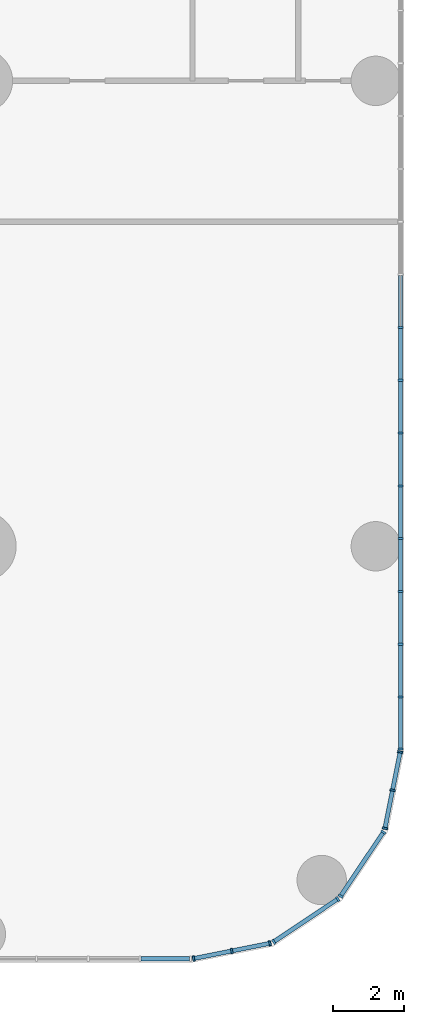
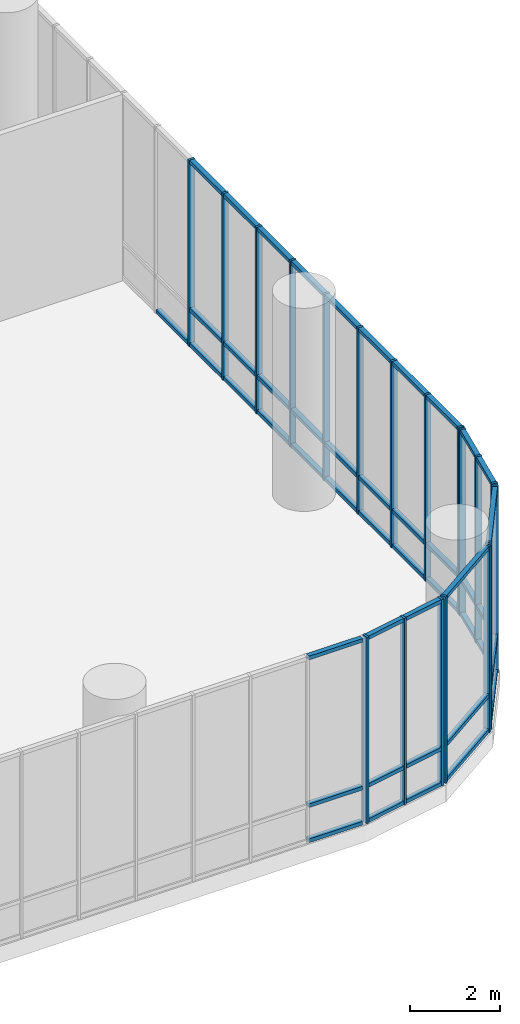
# One storey, part 14 of 30: 65 members, 6 elements without a shape of their own.
"""IFC4 building model written with IfcOpenShell, lengths in metres."""

from ifc_helpers import new_model, si_unit, direction, frame, origin, origin_2d, place, context, subcontext, project, spatial, rectangle, extrude, material, layer, layer_set, material_profile, profile_set, type_object, element, aggregate, save


model = new_model("IFC4")

# Units and contexts
model_context = context("Model", 3, precision=1e-05, world=origin(), true_north=direction((0.0, 1.0)))
body_context = subcontext(model_context, "Body", "Model", "MODEL_VIEW")
ifc_project = project(units=[si_unit("LENGTHUNIT", "METRE"), si_unit("AREAUNIT", "SQUARE_METRE"), si_unit("VOLUMEUNIT", "CUBIC_METRE"), si_unit("PLANEANGLEUNIT", "RADIAN"), si_unit("MASSUNIT", "GRAM", prefix="KILO")], contexts=[model_context])

# Site, building, storey
site_placement = place(None, origin())
site = spatial("IfcSite", under=ifc_project, at=site_placement, CompositionType="ELEMENT")
building_placement = place(site_placement, origin())
building = spatial("IfcBuilding", under=site, at=building_placement, Name="Torana Hotel and Residences", CompositionType="ELEMENT")
storey_placement = place(building_placement, frame((0.0, 0.0, 12.5)))
storey = spatial("IfcBuildingStorey", under=building, at=storey_placement, Name="L02", CompositionType="ELEMENT", Elevation=12.5)

# Curtain wall, members
ifc_material_1 = material(Name="Dark anodised aluminium", Category="aluminium")
ifc_layer = layer(ifc_material_1, 0.14990234375)
ifc_layer_set = layer_set([ifc_layer], Name="CW5 PODIUM UPPER UNITISED CURTAIN WALL")
curtain_wall_type = type_object("IfcCurtainWallType", Name="CW5 PODIUM UPPER UNITISED CURTAIN WALL", PredefinedType="NOTDEFINED", material=ifc_layer_set)
curtain_wall_1_placement = place(storey_placement, origin())
curtain_wall_1 = element("IfcCurtainWall", 1, at=curtain_wall_1_placement, inside=storey, type_object=curtain_wall_type, Name="Curtain wall CW5 L02 e1.1", PredefinedType="NOTDEFINED")
ifc_material_2 = material(Name="Dark anodised aluminium", Category="aluminium")
ifc_material_profile_1 = material_profile(ifc_material_2, rectangle(XDim=0.14990234375, YDim=0.06005859375, at=origin_2d()), Name="CW5 MULLION 60x150")
ifc_profile_set_1 = profile_set([ifc_material_profile_1], Name="Dark anodised aluminium")
member_type_1 = type_object("IfcMemberType", Name="CW5 MULLION 60x150", PredefinedType="MULLION", material=ifc_profile_set_1)
member_1_placement = place(storey_placement, frame((42.033935546875, -39.891357421875, 0.0), z_axis=(0.0, 0.0, 1.0), x_axis=(-0.195080996415, 0.980787135335, 0.0)))
member_1 = element("IfcMember", 2, at=member_1_placement, type_object=member_type_1, Name="CW5 mullion 1", PredefinedType="MULLION", context=body_context, shape_type="SweptSolid", body=[
    extrude(rectangle(XDim=0.14990234375, YDim=0.06005859375, at=origin_2d()), origin(), (0.0, 0.0, 1.0), 5.050048828125),
])
member_2_placement = place(storey_placement, frame((43.1162109375, -39.676025390625, 0.0), z_axis=(0.0, 0.0, 1.0), x_axis=(-0.195080996415, 0.980787135335, 0.0)))
member_2 = element("IfcMember", 3, at=member_2_placement, type_object=member_type_1, Name="CW5 mullion 2", PredefinedType="MULLION", context=body_context, shape_type="SweptSolid", body=[
    extrude(rectangle(XDim=0.14990234375, YDim=0.06005859375, at=origin_2d()), origin(), (0.0, 0.0, 1.0), 5.050048828125),
])
member_3_placement = place(storey_placement, frame((44.198486328125, -39.460693359375, 0.0), z_axis=(0.0, 0.0, 1.0), x_axis=(-0.195080996415, 0.980787135335, 0.0)))
member_3 = element("IfcMember", 4, at=member_3_placement, type_object=member_type_1, Name="CW5 mullion 3", PredefinedType="MULLION", context=body_context, shape_type="SweptSolid", body=[
    extrude(rectangle(XDim=0.14990234375, YDim=0.06005859375, at=origin_2d()), origin(), (0.0, 0.0, 1.0), 5.050048828125),
])

curtain_wall_2_placement = place(storey_placement, origin())
curtain_wall_2 = element("IfcCurtainWall", 5, at=curtain_wall_2_placement, inside=storey, type_object=curtain_wall_type, Name="Curtain wall CW5 L02 e1.2", PredefinedType="NOTDEFINED")
member_4_placement = place(storey_placement, frame((44.306884765625, -39.415771484375, 0.0), z_axis=(0.0, 0.0, 1.0), x_axis=(-0.555585238723, 0.831459585616, 0.0)))
member_4 = element("IfcMember", 6, at=member_4_placement, type_object=member_type_1, Name="CW5 mullion 1", PredefinedType="MULLION", context=body_context, shape_type="SweptSolid", body=[
    extrude(rectangle(XDim=0.14990234375, YDim=0.06005859375, at=origin_2d()), origin(), (0.0, 0.0, 1.0), 5.050048828125),
])
member_5_placement = place(storey_placement, frame((46.120849609375, -38.203857421875, 0.0), z_axis=(0.0, 0.0, 1.0), x_axis=(-0.555585238723, 0.831459585616, 0.0)))
member_5 = element("IfcMember", 7, at=member_5_placement, type_object=member_type_1, Name="CW5 mullion 2", PredefinedType="MULLION", context=body_context, shape_type="SweptSolid", body=[
    extrude(rectangle(XDim=0.14990234375, YDim=0.06005859375, at=origin_2d()), origin(), (0.0, 0.0, 1.0), 5.050048828125),
])

curtain_wall_3_placement = place(storey_placement, origin())
curtain_wall_3 = element("IfcCurtainWall", 8, at=curtain_wall_3_placement, inside=storey, type_object=curtain_wall_type, Name="Curtain wall CW5 L02 e1.3", PredefinedType="NOTDEFINED")
member_6_placement = place(storey_placement, frame((46.203857421875, -38.120849609375, 0.0), z_axis=(0.0, 0.0, 1.0), x_axis=(-0.831459585616, 0.555585238723, 0.0)))
member_6 = element("IfcMember", 9, at=member_6_placement, type_object=member_type_1, Name="CW5 mullion 1", PredefinedType="MULLION", context=body_context, shape_type="SweptSolid", body=[
    extrude(rectangle(XDim=0.14990234375, YDim=0.06005859375, at=origin_2d()), origin(), (0.0, 0.0, 1.0), 5.050048828125),
])
member_7_placement = place(storey_placement, frame((47.415771484375, -36.306884765625, 0.0), z_axis=(0.0, 0.0, 1.0), x_axis=(-0.831459585616, 0.555585238723, 0.0)))
member_7 = element("IfcMember", 10, at=member_7_placement, type_object=member_type_1, Name="CW5 mullion 2", PredefinedType="MULLION", context=body_context, shape_type="SweptSolid", body=[
    extrude(rectangle(XDim=0.14990234375, YDim=0.06005859375, at=origin_2d()), origin(), (0.0, 0.0, 1.0), 5.050048828125),
])

curtain_wall_4_placement = place(storey_placement, origin())
curtain_wall_4 = element("IfcCurtainWall", 11, at=curtain_wall_4_placement, inside=storey, type_object=curtain_wall_type, Name="Curtain wall CW5 L02 e1.4", PredefinedType="NOTDEFINED")
member_8_placement = place(storey_placement, frame((47.460693359375, -36.198486328125, 0.0), z_axis=(0.0, 0.0, 1.0), x_axis=(-0.980787135335, 0.195080996415, 0.0)))
member_8 = element("IfcMember", 12, at=member_8_placement, type_object=member_type_1, Name="CW5 mullion 1", PredefinedType="MULLION", context=body_context, shape_type="SweptSolid", body=[
    extrude(rectangle(XDim=0.14990234375, YDim=0.06005859375, at=origin_2d()), origin(), (0.0, 0.0, 1.0), 5.050048828125),
])
member_9_placement = place(storey_placement, frame((47.676025390625, -35.1162109375, 0.0), z_axis=(0.0, 0.0, 1.0), x_axis=(-0.980787135335, 0.195080996415, 0.0)))
member_9 = element("IfcMember", 13, at=member_9_placement, type_object=member_type_1, Name="CW5 mullion 2", PredefinedType="MULLION", context=body_context, shape_type="SweptSolid", body=[
    extrude(rectangle(XDim=0.14990234375, YDim=0.06005859375, at=origin_2d()), origin(), (0.0, 0.0, 1.0), 5.050048828125),
])
member_10_placement = place(storey_placement, frame((47.891357421875, -34.033935546875, 0.0), z_axis=(0.0, 0.0, 1.0), x_axis=(-0.980787135335, 0.195080996415, 0.0)))
member_10 = element("IfcMember", 14, at=member_10_placement, type_object=member_type_1, Name="CW5 mullion 3", PredefinedType="MULLION", context=body_context, shape_type="SweptSolid", body=[
    extrude(rectangle(XDim=0.14990234375, YDim=0.06005859375, at=origin_2d()), origin(), (0.0, 0.0, 1.0), 5.050048828125),
])

curtain_wall_5_placement = place(storey_placement, origin())
curtain_wall_5 = element("IfcCurtainWall", 15, at=curtain_wall_5_placement, inside=storey, type_object=curtain_wall_type, Name="Curtain wall CW5 L02 e1.5", PredefinedType="NOTDEFINED")
member_11_placement = place(storey_placement, frame((47.89990234375, -33.9453125, 0.0), z_axis=(0.0, 0.0, 1.0), x_axis=(-1.0, 0.0, 0.0)))
member_11 = element("IfcMember", 16, at=member_11_placement, type_object=member_type_1, Name="CW5 mullion 1", PredefinedType="MULLION", context=body_context, shape_type="SweptSolid", body=[
    extrude(rectangle(XDim=0.14990234375, YDim=0.06005859375, at=origin_2d()), origin(), (0.0, 0.0, 1.0), 5.050048828125),
])
member_12_placement = place(storey_placement, frame((47.89990234375, -32.4775390625, 0.0), z_axis=(0.0, 0.0, 1.0), x_axis=(-1.0, 0.0, 0.0)))
member_12 = element("IfcMember", 17, at=member_12_placement, type_object=member_type_1, Name="CW5 mullion 2", PredefinedType="MULLION", context=body_context, shape_type="SweptSolid", body=[
    extrude(rectangle(XDim=0.14990234375, YDim=0.06005859375, at=origin_2d()), origin(), (0.0, 0.0, 1.0), 5.050048828125),
])
member_13_placement = place(storey_placement, frame((47.89990234375, -30.9794921875, 0.0), z_axis=(0.0, 0.0, 1.0), x_axis=(-1.0, 0.0, 0.0)))
member_13 = element("IfcMember", 18, at=member_13_placement, type_object=member_type_1, Name="CW5 mullion 3", PredefinedType="MULLION", context=body_context, shape_type="SweptSolid", body=[
    extrude(rectangle(XDim=0.14990234375, YDim=0.06005859375, at=origin_2d()), origin(), (0.0, 0.0, 1.0), 5.050048828125),
])
member_14_placement = place(storey_placement, frame((47.89990234375, -29.4814453125, 0.0), z_axis=(0.0, 0.0, 1.0), x_axis=(-1.0, 0.0, 0.0)))
member_14 = element("IfcMember", 19, at=member_14_placement, type_object=member_type_1, Name="CW5 mullion 4", PredefinedType="MULLION", context=body_context, shape_type="SweptSolid", body=[
    extrude(rectangle(XDim=0.14990234375, YDim=0.06005859375, at=origin_2d()), origin(), (0.0, 0.0, 1.0), 5.050048828125),
])
member_15_placement = place(storey_placement, frame((47.89990234375, -27.983642578125, 0.0), z_axis=(0.0, 0.0, 1.0), x_axis=(-1.0, 0.0, 0.0)))
member_15 = element("IfcMember", 20, at=member_15_placement, type_object=member_type_1, Name="CW5 mullion 5", PredefinedType="MULLION", context=body_context, shape_type="SweptSolid", body=[
    extrude(rectangle(XDim=0.14990234375, YDim=0.06005859375, at=origin_2d()), origin(), (0.0, 0.0, 1.0), 5.050048828125),
])
member_16_placement = place(storey_placement, frame((47.89990234375, -26.485595703125, 0.0), z_axis=(0.0, 0.0, 1.0), x_axis=(-1.0, 0.0, 0.0)))
member_16 = element("IfcMember", 21, at=member_16_placement, type_object=member_type_1, Name="CW5 mullion 6", PredefinedType="MULLION", context=body_context, shape_type="SweptSolid", body=[
    extrude(rectangle(XDim=0.14990234375, YDim=0.06005859375, at=origin_2d()), origin(), (0.0, 0.0, 1.0), 5.050048828125),
])
member_17_placement = place(storey_placement, frame((47.89990234375, -24.98779296875, 0.0), z_axis=(0.0, 0.0, 1.0), x_axis=(-1.0, 0.0, 0.0)))
member_17 = element("IfcMember", 22, at=member_17_placement, type_object=member_type_1, Name="CW5 mullion 7", PredefinedType="MULLION", context=body_context, shape_type="SweptSolid", body=[
    extrude(rectangle(XDim=0.14990234375, YDim=0.06005859375, at=origin_2d()), origin(), (0.0, 0.0, 1.0), 5.050048828125),
])
member_18_placement = place(storey_placement, frame((47.89990234375, -23.48974609375, 0.0), z_axis=(0.0, 0.0, 1.0), x_axis=(-1.0, 0.0, 0.0)))
member_18 = element("IfcMember", 23, at=member_18_placement, type_object=member_type_1, Name="CW5 mullion 8", PredefinedType="MULLION", context=body_context, shape_type="SweptSolid", body=[
    extrude(rectangle(XDim=0.14990234375, YDim=0.06005859375, at=origin_2d()), origin(), (0.0, 0.0, 1.0), 5.050048828125),
])
member_19_placement = place(storey_placement, frame((47.89990234375, -21.99169921875, 0.0), z_axis=(0.0, 0.0, 1.0), x_axis=(-1.0, 0.0, 0.0)))
member_19 = element("IfcMember", 24, at=member_19_placement, type_object=member_type_1, Name="CW5 mullion 9", PredefinedType="MULLION", context=body_context, shape_type="SweptSolid", body=[
    extrude(rectangle(XDim=0.14990234375, YDim=0.06005859375, at=origin_2d()), origin(), (0.0, 0.0, 1.0), 5.050048828125),
])

curtain_wall_6_placement = place(storey_placement, origin())
curtain_wall_6 = element("IfcCurtainWall", 25, at=curtain_wall_6_placement, inside=storey, type_object=curtain_wall_type, Name="Curtain wall CW5 L02 e1.0", PredefinedType="NOTDEFINED")
ifc_material_3 = material(Name="Dark anodised aluminium", Category="aluminium")
ifc_material_profile_2 = material_profile(ifc_material_3, rectangle(XDim=0.1201171875, YDim=0.10009765625, at=origin_2d()), Name="CW5 TRANSOM 120x100")
ifc_profile_set_2 = profile_set([ifc_material_profile_2], Name="Dark anodised aluminium")
member_type_2 = type_object("IfcMemberType", Name="CW5 TRANSOM 120x100", PredefinedType="USERDEFINED", material=ifc_profile_set_2)
member_20_placement = place(storey_placement, frame((40.539794921875, -39.89990234375, 0.050048828125), z_axis=(1.0, 0.0, 0.0), x_axis=(0.0, 1.0, 0.0)))
member_20 = element("IfcMember", 26, at=member_20_placement, type_object=member_type_2, Name="CW5 transom 21.1", ObjectType="TRANSOM", PredefinedType="USERDEFINED", context=body_context, shape_type="SweptSolid", body=[
    extrude(rectangle(XDim=0.1201171875, YDim=0.10009765625, at=origin_2d()), origin(), (0.0, 0.0, 1.0), 1.37548828125),
])
member_21_placement = place(storey_placement, frame((40.539794921875, -39.89990234375, 1.0), z_axis=(1.0, 0.0, 0.0), x_axis=(0.0, 1.0, 0.0)))
member_21 = element("IfcMember", 27, at=member_21_placement, type_object=member_type_2, Name="CW5 transom 21.2", ObjectType="TRANSOM", PredefinedType="USERDEFINED", context=body_context, shape_type="SweptSolid", body=[
    extrude(rectangle(XDim=0.1201171875, YDim=0.10009765625, at=origin_2d()), origin(), (0.0, 0.0, 1.0), 1.37548828125),
])
member_22_placement = place(storey_placement, frame((40.539794921875, -39.89990234375, 5.0), z_axis=(1.0, 0.0, 0.0), x_axis=(0.0, 1.0, 0.0)))
member_22 = element("IfcMember", 28, at=member_22_placement, type_object=member_type_2, Name="CW5 transom 21.3", ObjectType="TRANSOM", PredefinedType="USERDEFINED", context=body_context, shape_type="SweptSolid", body=[
    extrude(rectangle(XDim=0.1201171875, YDim=0.10009765625, at=origin_2d()), origin(), (0.0, 0.0, 1.0), 1.37548828125),
])
aggregate(curtain_wall_6, [member_20, member_21, member_22])

# Member
member_23_placement = place(storey_placement, frame((42.0634765625, -39.885498046875, 0.050048828125), z_axis=(0.980769234765, 0.195170971557, 0.0), x_axis=(-0.195170971557, 0.980769234765, 0.0)))
member_23 = element("IfcMember", 29, at=member_23_placement, type_object=member_type_2, Name="CW5 transom 1.1", ObjectType="TRANSOM", PredefinedType="USERDEFINED", context=body_context, shape_type="SweptSolid", body=[
    extrude(rectangle(XDim=0.1201171875, YDim=0.10009765625, at=origin_2d()), origin(), (0.0, 0.0, 1.0), 1.043212890625),
])

member_24_placement = place(storey_placement, frame((42.0634765625, -39.885498046875, 1.0), z_axis=(0.980769234765, 0.195170971557, 0.0), x_axis=(-0.195170971557, 0.980769234765, 0.0)))
member_24 = element("IfcMember", 30, at=member_24_placement, type_object=member_type_2, Name="CW5 transom 1.2", ObjectType="TRANSOM", PredefinedType="USERDEFINED", context=body_context, shape_type="SweptSolid", body=[
    extrude(rectangle(XDim=0.1201171875, YDim=0.10009765625, at=origin_2d()), origin(), (0.0, 0.0, 1.0), 1.043212890625),
])

member_25_placement = place(storey_placement, frame((42.0634765625, -39.885498046875, 5.0), z_axis=(0.980769234765, 0.195170971557, 0.0), x_axis=(-0.195170971557, 0.980769234765, 0.0)))
member_25 = element("IfcMember", 31, at=member_25_placement, type_object=member_type_2, Name="CW5 transom 1.3", ObjectType="TRANSOM", PredefinedType="USERDEFINED", context=body_context, shape_type="SweptSolid", body=[
    extrude(rectangle(XDim=0.1201171875, YDim=0.10009765625, at=origin_2d()), origin(), (0.0, 0.0, 1.0), 1.043212890625),
])

member_26_placement = place(storey_placement, frame((43.1455078125, -39.670166015625, 0.050048828125), z_axis=(0.980778145841, 0.195126186458, 0.0), x_axis=(-0.195126186458, 0.980778145841, 0.0)))
member_26 = element("IfcMember", 32, at=member_26_placement, type_object=member_type_2, Name="CW5 transom 2.1", ObjectType="TRANSOM", PredefinedType="USERDEFINED", context=body_context, shape_type="SweptSolid", body=[
    extrude(rectangle(XDim=0.1201171875, YDim=0.10009765625, at=origin_2d()), origin(), (0.0, 0.0, 1.0), 1.04345703125),
])

member_27_placement = place(storey_placement, frame((43.1455078125, -39.670166015625, 1.0), z_axis=(0.980778145841, 0.195126186458, 0.0), x_axis=(-0.195126186458, 0.980778145841, 0.0)))
member_27 = element("IfcMember", 33, at=member_27_placement, type_object=member_type_2, Name="CW5 transom 2.2", ObjectType="TRANSOM", PredefinedType="USERDEFINED", context=body_context, shape_type="SweptSolid", body=[
    extrude(rectangle(XDim=0.1201171875, YDim=0.10009765625, at=origin_2d()), origin(), (0.0, 0.0, 1.0), 1.04345703125),
])

member_28_placement = place(storey_placement, frame((43.1455078125, -39.670166015625, 5.0), z_axis=(0.980778145841, 0.195126186458, 0.0), x_axis=(-0.195126186458, 0.980778145841, 0.0)))
member_28 = element("IfcMember", 34, at=member_28_placement, type_object=member_type_2, Name="CW5 transom 2.3", ObjectType="TRANSOM", PredefinedType="USERDEFINED", context=body_context, shape_type="SweptSolid", body=[
    extrude(rectangle(XDim=0.1201171875, YDim=0.10009765625, at=origin_2d()), origin(), (0.0, 0.0, 1.0), 1.04345703125),
])

aggregate(curtain_wall_1, [member_1, member_2, member_3, member_23, member_24, member_25, member_26, member_27, member_28])

member_29_placement = place(storey_placement, frame((44.331787109375, -39.399169921875, 0.050048828125), z_axis=(0.831447851219, 0.555602799403, 0.0), x_axis=(-0.555602799403, 0.831447851219, 0.0)))
member_29 = element("IfcMember", 35, at=member_29_placement, type_object=member_type_2, Name="CW5 transom 1.1", ObjectType="TRANSOM", PredefinedType="USERDEFINED", context=body_context, shape_type="SweptSolid", body=[
    extrude(rectangle(XDim=0.1201171875, YDim=0.10009765625, at=origin_2d()), origin(), (0.0, 0.0, 1.0), 2.12158203125),
])

member_30_placement = place(storey_placement, frame((44.331787109375, -39.399169921875, 1.0), z_axis=(0.831447851219, 0.555602799403, 0.0), x_axis=(-0.555602799403, 0.831447851219, 0.0)))
member_30 = element("IfcMember", 36, at=member_30_placement, type_object=member_type_2, Name="CW5 transom 1.2", ObjectType="TRANSOM", PredefinedType="USERDEFINED", context=body_context, shape_type="SweptSolid", body=[
    extrude(rectangle(XDim=0.1201171875, YDim=0.10009765625, at=origin_2d()), origin(), (0.0, 0.0, 1.0), 2.12158203125),
])

member_31_placement = place(storey_placement, frame((44.331787109375, -39.399169921875, 5.0), z_axis=(0.831447851219, 0.555602799403, 0.0), x_axis=(-0.555602799403, 0.831447851219, 0.0)))
member_31 = element("IfcMember", 37, at=member_31_placement, type_object=member_type_2, Name="CW5 transom 1.3", ObjectType="TRANSOM", PredefinedType="USERDEFINED", context=body_context, shape_type="SweptSolid", body=[
    extrude(rectangle(XDim=0.1201171875, YDim=0.10009765625, at=origin_2d()), origin(), (0.0, 0.0, 1.0), 2.12158203125),
])

aggregate(curtain_wall_2, [member_4, member_5, member_29, member_30, member_31])

member_32_placement = place(storey_placement, frame((46.220458984375, -38.095703125, 0.050048828125), z_axis=(0.555602799403, 0.831447851219, 0.0), x_axis=(-0.831447851219, 0.555602799403, 0.0)))
member_32 = element("IfcMember", 38, at=member_32_placement, type_object=member_type_2, Name="CW5 transom 1.1", ObjectType="TRANSOM", PredefinedType="USERDEFINED", context=body_context, shape_type="SweptSolid", body=[
    extrude(rectangle(XDim=0.1201171875, YDim=0.10009765625, at=origin_2d()), origin(), (0.0, 0.0, 1.0), 2.12158203125),
])

member_33_placement = place(storey_placement, frame((46.220458984375, -38.095703125, 1.0), z_axis=(0.555602799403, 0.831447851219, 0.0), x_axis=(-0.831447851219, 0.555602799403, 0.0)))
member_33 = element("IfcMember", 39, at=member_33_placement, type_object=member_type_2, Name="CW5 transom 1.2", ObjectType="TRANSOM", PredefinedType="USERDEFINED", context=body_context, shape_type="SweptSolid", body=[
    extrude(rectangle(XDim=0.1201171875, YDim=0.10009765625, at=origin_2d()), origin(), (0.0, 0.0, 1.0), 2.12158203125),
])

member_34_placement = place(storey_placement, frame((46.220458984375, -38.095703125, 5.0), z_axis=(0.555602799403, 0.831447851219, 0.0), x_axis=(-0.831447851219, 0.555602799403, 0.0)))
member_34 = element("IfcMember", 40, at=member_34_placement, type_object=member_type_2, Name="CW5 transom 1.3", ObjectType="TRANSOM", PredefinedType="USERDEFINED", context=body_context, shape_type="SweptSolid", body=[
    extrude(rectangle(XDim=0.1201171875, YDim=0.10009765625, at=origin_2d()), origin(), (0.0, 0.0, 1.0), 2.12158203125),
])

aggregate(curtain_wall_3, [member_6, member_7, member_32, member_33, member_34])

member_35_placement = place(storey_placement, frame((47.466552734375, -36.1689453125, 0.050048828125), z_axis=(0.195126186458, 0.980778145841, 0.0), x_axis=(-0.980778145841, 0.195126186458, 0.0)))
member_35 = element("IfcMember", 41, at=member_35_placement, type_object=member_type_2, Name="CW5 transom 1.1", ObjectType="TRANSOM", PredefinedType="USERDEFINED", context=body_context, shape_type="SweptSolid", body=[
    extrude(rectangle(XDim=0.1201171875, YDim=0.10009765625, at=origin_2d()), origin(), (0.0, 0.0, 1.0), 1.04345703125),
])

member_36_placement = place(storey_placement, frame((47.466552734375, -36.1689453125, 1.0), z_axis=(0.195126186458, 0.980778145841, 0.0), x_axis=(-0.980778145841, 0.195126186458, 0.0)))
member_36 = element("IfcMember", 42, at=member_36_placement, type_object=member_type_2, Name="CW5 transom 1.2", ObjectType="TRANSOM", PredefinedType="USERDEFINED", context=body_context, shape_type="SweptSolid", body=[
    extrude(rectangle(XDim=0.1201171875, YDim=0.10009765625, at=origin_2d()), origin(), (0.0, 0.0, 1.0), 1.04345703125),
])

member_37_placement = place(storey_placement, frame((47.466552734375, -36.1689453125, 5.0), z_axis=(0.195126186458, 0.980778145841, 0.0), x_axis=(-0.980778145841, 0.195126186458, 0.0)))
member_37 = element("IfcMember", 43, at=member_37_placement, type_object=member_type_2, Name="CW5 transom 1.3", ObjectType="TRANSOM", PredefinedType="USERDEFINED", context=body_context, shape_type="SweptSolid", body=[
    extrude(rectangle(XDim=0.1201171875, YDim=0.10009765625, at=origin_2d()), origin(), (0.0, 0.0, 1.0), 1.04345703125),
])

member_38_placement = place(storey_placement, frame((47.681884765625, -35.086669921875, 0.050048828125), z_axis=(0.195170971557, 0.980769234765, 0.0), x_axis=(-0.980769234765, 0.195170971557, 0.0)))
member_38 = element("IfcMember", 44, at=member_38_placement, type_object=member_type_2, Name="CW5 transom 2.1", ObjectType="TRANSOM", PredefinedType="USERDEFINED", context=body_context, shape_type="SweptSolid", body=[
    extrude(rectangle(XDim=0.1201171875, YDim=0.10009765625, at=origin_2d()), origin(), (0.0, 0.0, 1.0), 1.043212890625),
])

member_39_placement = place(storey_placement, frame((47.681884765625, -35.086669921875, 1.0), z_axis=(0.195170971557, 0.980769234765, 0.0), x_axis=(-0.980769234765, 0.195170971557, 0.0)))
member_39 = element("IfcMember", 45, at=member_39_placement, type_object=member_type_2, Name="CW5 transom 2.2", ObjectType="TRANSOM", PredefinedType="USERDEFINED", context=body_context, shape_type="SweptSolid", body=[
    extrude(rectangle(XDim=0.1201171875, YDim=0.10009765625, at=origin_2d()), origin(), (0.0, 0.0, 1.0), 1.043212890625),
])

member_40_placement = place(storey_placement, frame((47.681884765625, -35.086669921875, 5.0), z_axis=(0.195170971557, 0.980769234765, 0.0), x_axis=(-0.980769234765, 0.195170971557, 0.0)))
member_40 = element("IfcMember", 46, at=member_40_placement, type_object=member_type_2, Name="CW5 transom 2.3", ObjectType="TRANSOM", PredefinedType="USERDEFINED", context=body_context, shape_type="SweptSolid", body=[
    extrude(rectangle(XDim=0.1201171875, YDim=0.10009765625, at=origin_2d()), origin(), (0.0, 0.0, 1.0), 1.043212890625),
])

aggregate(curtain_wall_4, [member_8, member_9, member_10, member_35, member_36, member_37, member_38, member_39, member_40])

member_41_placement = place(storey_placement, frame((47.89990234375, -33.915283203125, 0.050048828125), z_axis=(0.0, 1.0, 0.0), x_axis=(-1.0, 0.0, 0.0)))
member_41 = element("IfcMember", 47, at=member_41_placement, type_object=member_type_2, Name="CW5 transom 1.1", ObjectType="TRANSOM", PredefinedType="USERDEFINED", context=body_context, shape_type="SweptSolid", body=[
    extrude(rectangle(XDim=0.1201171875, YDim=0.10009765625, at=origin_2d()), origin(), (0.0, 0.0, 1.0), 1.40771484375),
])

member_42_placement = place(storey_placement, frame((47.89990234375, -33.915283203125, 1.0), z_axis=(0.0, 1.0, 0.0), x_axis=(-1.0, 0.0, 0.0)))
member_42 = element("IfcMember", 48, at=member_42_placement, type_object=member_type_2, Name="CW5 transom 1.2", ObjectType="TRANSOM", PredefinedType="USERDEFINED", context=body_context, shape_type="SweptSolid", body=[
    extrude(rectangle(XDim=0.1201171875, YDim=0.10009765625, at=origin_2d()), origin(), (0.0, 0.0, 1.0), 1.40771484375),
])

member_43_placement = place(storey_placement, frame((47.89990234375, -33.915283203125, 5.0), z_axis=(0.0, 1.0, 0.0), x_axis=(-1.0, 0.0, 0.0)))
member_43 = element("IfcMember", 49, at=member_43_placement, type_object=member_type_2, Name="CW5 transom 1.3", ObjectType="TRANSOM", PredefinedType="USERDEFINED", context=body_context, shape_type="SweptSolid", body=[
    extrude(rectangle(XDim=0.1201171875, YDim=0.10009765625, at=origin_2d()), origin(), (0.0, 0.0, 1.0), 1.40771484375),
])

member_44_placement = place(storey_placement, frame((47.89990234375, -32.447509765625, 0.050048828125), z_axis=(0.0, 1.0, 0.0), x_axis=(-1.0, 0.0, 0.0)))
member_44 = element("IfcMember", 50, at=member_44_placement, type_object=member_type_2, Name="CW5 transom 2.1", ObjectType="TRANSOM", PredefinedType="USERDEFINED", context=body_context, shape_type="SweptSolid", body=[
    extrude(rectangle(XDim=0.1201171875, YDim=0.10009765625, at=origin_2d()), origin(), (0.0, 0.0, 1.0), 1.43798828125),
])

member_45_placement = place(storey_placement, frame((47.89990234375, -32.447509765625, 1.0), z_axis=(0.0, 1.0, 0.0), x_axis=(-1.0, 0.0, 0.0)))
member_45 = element("IfcMember", 51, at=member_45_placement, type_object=member_type_2, Name="CW5 transom 2.2", ObjectType="TRANSOM", PredefinedType="USERDEFINED", context=body_context, shape_type="SweptSolid", body=[
    extrude(rectangle(XDim=0.1201171875, YDim=0.10009765625, at=origin_2d()), origin(), (0.0, 0.0, 1.0), 1.43798828125),
])

member_46_placement = place(storey_placement, frame((47.89990234375, -32.447509765625, 5.0), z_axis=(0.0, 1.0, 0.0), x_axis=(-1.0, 0.0, 0.0)))
member_46 = element("IfcMember", 52, at=member_46_placement, type_object=member_type_2, Name="CW5 transom 2.3", ObjectType="TRANSOM", PredefinedType="USERDEFINED", context=body_context, shape_type="SweptSolid", body=[
    extrude(rectangle(XDim=0.1201171875, YDim=0.10009765625, at=origin_2d()), origin(), (0.0, 0.0, 1.0), 1.43798828125),
])

member_47_placement = place(storey_placement, frame((47.89990234375, -30.949462890625, 0.050048828125), z_axis=(0.0, 1.0, 0.0), x_axis=(-1.0, 0.0, 0.0)))
member_47 = element("IfcMember", 53, at=member_47_placement, type_object=member_type_2, Name="CW5 transom 3.1", ObjectType="TRANSOM", PredefinedType="USERDEFINED", context=body_context, shape_type="SweptSolid", body=[
    extrude(rectangle(XDim=0.1201171875, YDim=0.10009765625, at=origin_2d()), origin(), (0.0, 0.0, 1.0), 1.43798828125),
])

member_48_placement = place(storey_placement, frame((47.89990234375, -30.949462890625, 1.0), z_axis=(0.0, 1.0, 0.0), x_axis=(-1.0, 0.0, 0.0)))
member_48 = element("IfcMember", 54, at=member_48_placement, type_object=member_type_2, Name="CW5 transom 3.2", ObjectType="TRANSOM", PredefinedType="USERDEFINED", context=body_context, shape_type="SweptSolid", body=[
    extrude(rectangle(XDim=0.1201171875, YDim=0.10009765625, at=origin_2d()), origin(), (0.0, 0.0, 1.0), 1.43798828125),
])

member_49_placement = place(storey_placement, frame((47.89990234375, -30.949462890625, 5.0), z_axis=(0.0, 1.0, 0.0), x_axis=(-1.0, 0.0, 0.0)))
member_49 = element("IfcMember", 55, at=member_49_placement, type_object=member_type_2, Name="CW5 transom 3.3", ObjectType="TRANSOM", PredefinedType="USERDEFINED", context=body_context, shape_type="SweptSolid", body=[
    extrude(rectangle(XDim=0.1201171875, YDim=0.10009765625, at=origin_2d()), origin(), (0.0, 0.0, 1.0), 1.43798828125),
])

member_50_placement = place(storey_placement, frame((47.89990234375, -29.45166015625, 0.050048828125), z_axis=(0.0, 1.0, 0.0), x_axis=(-1.0, 0.0, 0.0)))
member_50 = element("IfcMember", 56, at=member_50_placement, type_object=member_type_2, Name="CW5 transom 4.1", ObjectType="TRANSOM", PredefinedType="USERDEFINED", context=body_context, shape_type="SweptSolid", body=[
    extrude(rectangle(XDim=0.1201171875, YDim=0.10009765625, at=origin_2d()), origin(), (0.0, 0.0, 1.0), 1.43798828125),
])

member_51_placement = place(storey_placement, frame((47.89990234375, -29.45166015625, 1.0), z_axis=(0.0, 1.0, 0.0), x_axis=(-1.0, 0.0, 0.0)))
member_51 = element("IfcMember", 57, at=member_51_placement, type_object=member_type_2, Name="CW5 transom 4.2", ObjectType="TRANSOM", PredefinedType="USERDEFINED", context=body_context, shape_type="SweptSolid", body=[
    extrude(rectangle(XDim=0.1201171875, YDim=0.10009765625, at=origin_2d()), origin(), (0.0, 0.0, 1.0), 1.43798828125),
])

member_52_placement = place(storey_placement, frame((47.89990234375, -29.45166015625, 5.0), z_axis=(0.0, 1.0, 0.0), x_axis=(-1.0, 0.0, 0.0)))
member_52 = element("IfcMember", 58, at=member_52_placement, type_object=member_type_2, Name="CW5 transom 4.3", ObjectType="TRANSOM", PredefinedType="USERDEFINED", context=body_context, shape_type="SweptSolid", body=[
    extrude(rectangle(XDim=0.1201171875, YDim=0.10009765625, at=origin_2d()), origin(), (0.0, 0.0, 1.0), 1.43798828125),
])

member_53_placement = place(storey_placement, frame((47.89990234375, -27.95361328125, 0.050048828125), z_axis=(0.0, 1.0, 0.0), x_axis=(-1.0, 0.0, 0.0)))
member_53 = element("IfcMember", 59, at=member_53_placement, type_object=member_type_2, Name="CW5 transom 5.1", ObjectType="TRANSOM", PredefinedType="USERDEFINED", context=body_context, shape_type="SweptSolid", body=[
    extrude(rectangle(XDim=0.1201171875, YDim=0.10009765625, at=origin_2d()), origin(), (0.0, 0.0, 1.0), 1.43798828125),
])

member_54_placement = place(storey_placement, frame((47.89990234375, -27.95361328125, 1.0), z_axis=(0.0, 1.0, 0.0), x_axis=(-1.0, 0.0, 0.0)))
member_54 = element("IfcMember", 60, at=member_54_placement, type_object=member_type_2, Name="CW5 transom 5.2", ObjectType="TRANSOM", PredefinedType="USERDEFINED", context=body_context, shape_type="SweptSolid", body=[
    extrude(rectangle(XDim=0.1201171875, YDim=0.10009765625, at=origin_2d()), origin(), (0.0, 0.0, 1.0), 1.43798828125),
])

member_55_placement = place(storey_placement, frame((47.89990234375, -27.95361328125, 5.0), z_axis=(0.0, 1.0, 0.0), x_axis=(-1.0, 0.0, 0.0)))
member_55 = element("IfcMember", 61, at=member_55_placement, type_object=member_type_2, Name="CW5 transom 5.3", ObjectType="TRANSOM", PredefinedType="USERDEFINED", context=body_context, shape_type="SweptSolid", body=[
    extrude(rectangle(XDim=0.1201171875, YDim=0.10009765625, at=origin_2d()), origin(), (0.0, 0.0, 1.0), 1.43798828125),
])

member_56_placement = place(storey_placement, frame((47.89990234375, -26.45556640625, 0.050048828125), z_axis=(0.0, 1.0, 0.0), x_axis=(-1.0, 0.0, 0.0)))
member_56 = element("IfcMember", 62, at=member_56_placement, type_object=member_type_2, Name="CW5 transom 6.1", ObjectType="TRANSOM", PredefinedType="USERDEFINED", context=body_context, shape_type="SweptSolid", body=[
    extrude(rectangle(XDim=0.1201171875, YDim=0.10009765625, at=origin_2d()), origin(), (0.0, 0.0, 1.0), 1.43798828125),
])

member_57_placement = place(storey_placement, frame((47.89990234375, -26.45556640625, 1.0), z_axis=(0.0, 1.0, 0.0), x_axis=(-1.0, 0.0, 0.0)))
member_57 = element("IfcMember", 63, at=member_57_placement, type_object=member_type_2, Name="CW5 transom 6.2", ObjectType="TRANSOM", PredefinedType="USERDEFINED", context=body_context, shape_type="SweptSolid", body=[
    extrude(rectangle(XDim=0.1201171875, YDim=0.10009765625, at=origin_2d()), origin(), (0.0, 0.0, 1.0), 1.43798828125),
])

member_58_placement = place(storey_placement, frame((47.89990234375, -26.45556640625, 5.0), z_axis=(0.0, 1.0, 0.0), x_axis=(-1.0, 0.0, 0.0)))
member_58 = element("IfcMember", 64, at=member_58_placement, type_object=member_type_2, Name="CW5 transom 6.3", ObjectType="TRANSOM", PredefinedType="USERDEFINED", context=body_context, shape_type="SweptSolid", body=[
    extrude(rectangle(XDim=0.1201171875, YDim=0.10009765625, at=origin_2d()), origin(), (0.0, 0.0, 1.0), 1.43798828125),
])

member_59_placement = place(storey_placement, frame((47.89990234375, -24.957763671875, 0.050048828125), z_axis=(0.0, 1.0, 0.0), x_axis=(-1.0, 0.0, 0.0)))
member_59 = element("IfcMember", 65, at=member_59_placement, type_object=member_type_2, Name="CW5 transom 7.1", ObjectType="TRANSOM", PredefinedType="USERDEFINED", context=body_context, shape_type="SweptSolid", body=[
    extrude(rectangle(XDim=0.1201171875, YDim=0.10009765625, at=origin_2d()), origin(), (0.0, 0.0, 1.0), 1.43798828125),
])

member_60_placement = place(storey_placement, frame((47.89990234375, -24.957763671875, 1.0), z_axis=(0.0, 1.0, 0.0), x_axis=(-1.0, 0.0, 0.0)))
member_60 = element("IfcMember", 66, at=member_60_placement, type_object=member_type_2, Name="CW5 transom 7.2", ObjectType="TRANSOM", PredefinedType="USERDEFINED", context=body_context, shape_type="SweptSolid", body=[
    extrude(rectangle(XDim=0.1201171875, YDim=0.10009765625, at=origin_2d()), origin(), (0.0, 0.0, 1.0), 1.43798828125),
])

member_61_placement = place(storey_placement, frame((47.89990234375, -24.957763671875, 5.0), z_axis=(0.0, 1.0, 0.0), x_axis=(-1.0, 0.0, 0.0)))
member_61 = element("IfcMember", 67, at=member_61_placement, type_object=member_type_2, Name="CW5 transom 7.3", ObjectType="TRANSOM", PredefinedType="USERDEFINED", context=body_context, shape_type="SweptSolid", body=[
    extrude(rectangle(XDim=0.1201171875, YDim=0.10009765625, at=origin_2d()), origin(), (0.0, 0.0, 1.0), 1.43798828125),
])

member_62_placement = place(storey_placement, frame((47.89990234375, -23.459716796875, 0.050048828125), z_axis=(0.0, 1.0, 0.0), x_axis=(-1.0, 0.0, 0.0)))
member_62 = element("IfcMember", 68, at=member_62_placement, type_object=member_type_2, Name="CW5 transom 8.1", ObjectType="TRANSOM", PredefinedType="USERDEFINED", context=body_context, shape_type="SweptSolid", body=[
    extrude(rectangle(XDim=0.1201171875, YDim=0.10009765625, at=origin_2d()), origin(), (0.0, 0.0, 1.0), 1.43798828125),
])

member_63_placement = place(storey_placement, frame((47.89990234375, -23.459716796875, 1.0), z_axis=(0.0, 1.0, 0.0), x_axis=(-1.0, 0.0, 0.0)))
member_63 = element("IfcMember", 69, at=member_63_placement, type_object=member_type_2, Name="CW5 transom 8.2", ObjectType="TRANSOM", PredefinedType="USERDEFINED", context=body_context, shape_type="SweptSolid", body=[
    extrude(rectangle(XDim=0.1201171875, YDim=0.10009765625, at=origin_2d()), origin(), (0.0, 0.0, 1.0), 1.43798828125),
])

member_64_placement = place(storey_placement, frame((47.89990234375, -23.459716796875, 5.0), z_axis=(0.0, 1.0, 0.0), x_axis=(-1.0, 0.0, 0.0)))
member_64 = element("IfcMember", 70, at=member_64_placement, type_object=member_type_2, Name="CW5 transom 8.3", ObjectType="TRANSOM", PredefinedType="USERDEFINED", context=body_context, shape_type="SweptSolid", body=[
    extrude(rectangle(XDim=0.1201171875, YDim=0.10009765625, at=origin_2d()), origin(), (0.0, 0.0, 1.0), 1.43798828125),
])

member_65_placement = place(storey_placement, frame((47.89990234375, -21.9619140625, 0.050048828125), z_axis=(0.0, 1.0, 0.0), x_axis=(-1.0, 0.0, 0.0)))
member_65 = element("IfcMember", 71, at=member_65_placement, type_object=member_type_2, Name="CW5 transom 9.1", ObjectType="TRANSOM", PredefinedType="USERDEFINED", context=body_context, shape_type="SweptSolid", body=[
    extrude(rectangle(XDim=0.1201171875, YDim=0.10009765625, at=origin_2d()), origin(), (0.0, 0.0, 1.0), 1.43798828125),
])

aggregate(curtain_wall_5, [member_11, member_12, member_13, member_14, member_15, member_16, member_17, member_18, member_19, member_41, member_42, member_43, member_44, member_45, member_46, member_47, member_48, member_49, member_50, member_51, member_52, member_53, member_54, member_55, member_56, member_57, member_58, member_59, member_60, member_61, member_62, member_63, member_64, member_65])

save(model, "model.ifc")
